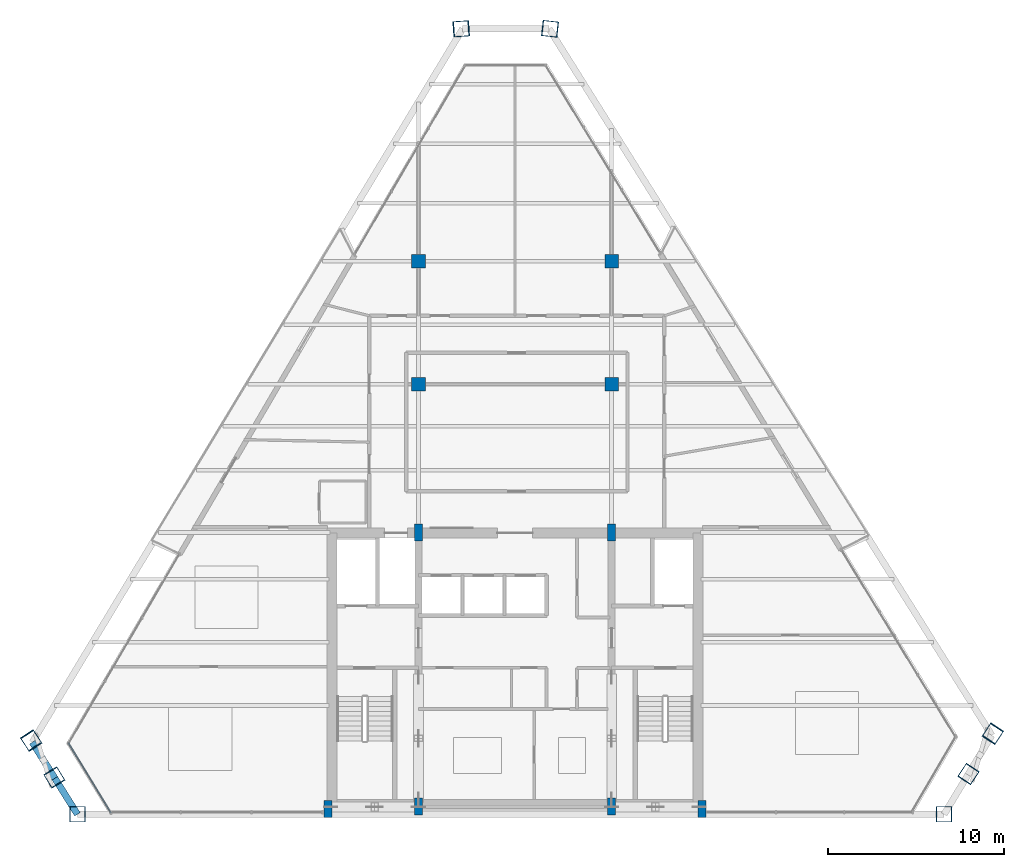
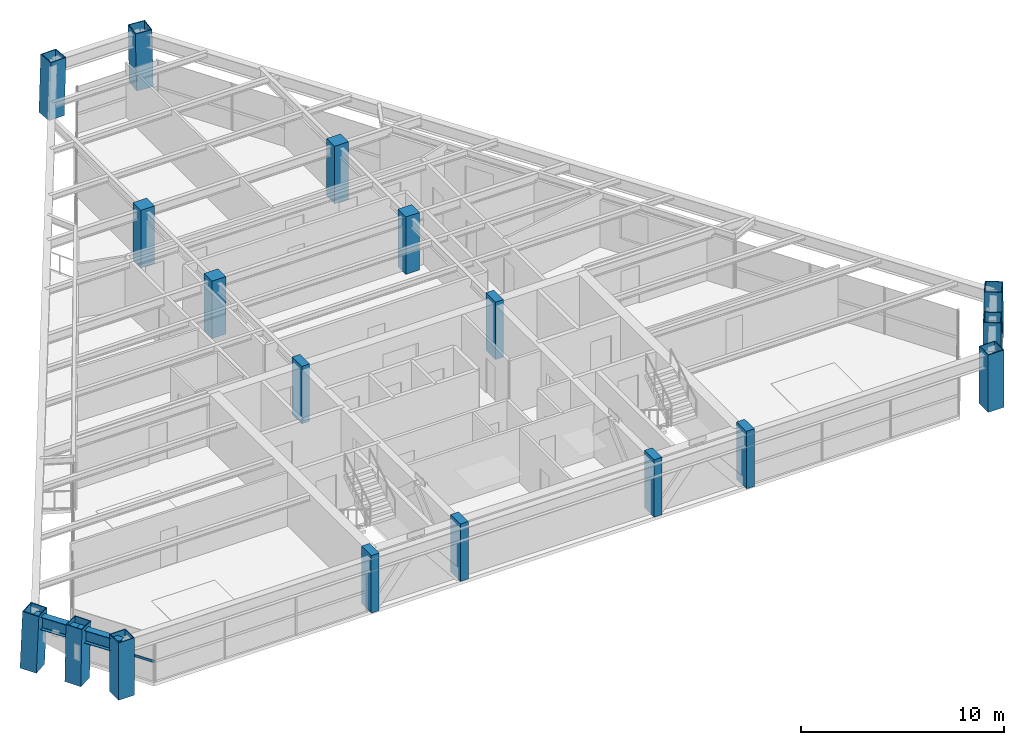
# One storey, part 1 of 13: 18 columns, 2 beams, 1 member, 1 element without a shape of its own.
"""IFC4 building model written with IfcOpenShell, lengths in metres."""

from ifc_helpers import new_model, si_unit, direction, frame, origin, origin_2d, place, context, subcontext, project, spatial, rectangle, hollow_rectangle, i_section, extrude, source, transform, mapped, material, material_profile, profile_set, type_object, element, aggregate, save


model = new_model("IFC4")

# Units and contexts
model_context = context("Model", 3, precision=1e-05, world=origin(), true_north=direction((0.0, 1.0)))
body_context = subcontext(model_context, "Body", "Model", "MODEL_VIEW")
ifc_project = project(units=[si_unit("LENGTHUNIT", "METRE"), si_unit("AREAUNIT", "SQUARE_METRE"), si_unit("VOLUMEUNIT", "CUBIC_METRE"), si_unit("PLANEANGLEUNIT", "RADIAN"), si_unit("MASSUNIT", "GRAM", prefix="KILO")], contexts=[model_context])

# Site, building, storey
site_placement = place(None, origin())
site = spatial("IfcSite", under=ifc_project, at=site_placement, CompositionType="ELEMENT")
building_placement = place(site_placement, origin())
building = spatial("IfcBuilding", under=site, at=building_placement, Name="Varnakhor Terracotta Tower", CompositionType="ELEMENT")
storey_placement = place(building_placement, frame((0.0, 0.0, 251.050048828125)))
storey = spatial("IfcBuildingStorey", under=building, at=storey_placement, Name="L65", CompositionType="ELEMENT", Elevation=251.050048828125)

# Columns
ifc_material_1 = material(Name="Concrete C50/60", Category="concrete")
ifc_material_profile_1 = material_profile(ifc_material_1, rectangle(XDim=0.449951171875, YDim=0.949951171875, at=origin_2d()), Name="RC PILASTER 950x450")
ifc_profile_set_1 = profile_set([ifc_material_profile_1], Name="Concrete C50/60")
column_type_1 = type_object("IfcColumnType", Name="COL-PIL-950x450", PredefinedType="PILASTER", material=ifc_profile_set_1)
shared_shape_1 = source(origin(), body_context, "Body", "SweptSolid", [
    extrude(rectangle(XDim=0.449951171875, YDim=0.949951171875, at=origin_2d()), origin(), (0.0, 0.0, 1.0), 3.449951171875),
])
for number, where, z_axis, x_axis, name in (
    (1, (-10.64990234375, 0.300048828125, 0.0), (0.0, 0.0, 1.0), (1.0, 0.0, 0.0), "L65 Core Pilaster CP1"),
    (2, (-5.5, 0.449951171875, 0.0), (0.0, 0.0, 1.0), (1.0, 0.0, 0.0), "L65 Core Pilaster CP2"),
    (3, (5.5, 0.449951171875, 0.0), (0.0, 0.0, 1.0), (1.0, 0.0, 0.0), "L65 Core Pilaster CP3"),
    (4, (10.64990234375, 0.300048828125, 0.0), (0.0, 0.0, 1.0), (1.0, 0.0, 0.0), "L65 Core Pilaster CP4"),
    (5, (-5.5, 16.050048828125, 0.0), (0.0, 0.0, 1.0), (1.0, 0.0, 0.0), "L65 Core Pilaster CP5"),
    (6, (5.5, 16.050048828125, 0.0), (0.0, 0.0, 1.0), (1.0, 0.0, 0.0), "L65 Core Pilaster CP6"),
):
    element("IfcColumn", number, at=place(storey_placement, frame(where, z_axis=z_axis, x_axis=x_axis)), inside=storey, type_object=column_type_1, Name=name, PredefinedType="PILASTER", context=body_context, shape_type="MappedRepresentation", body=[
        mapped(shared_shape_1, transform((0.0, 0.0, 0.0), scale=1.0)),
    ])
ifc_material_2 = material(Name="Steel S460", Category="steel")
ifc_material_profile_2 = material_profile(ifc_material_2, hollow_rectangle(XDim=0.89990234375, YDim=0.89990234375, WallThickness=0.044921875, at=origin_2d()), Name="BOX 900x900x45")
ifc_profile_set_2 = profile_set([ifc_material_profile_2], Name="Steel S460")
column_type_2 = type_object("IfcColumnType", Name="COL-MEGA-900", PredefinedType="COLUMN", material=ifc_profile_set_2)
shared_shape_2 = source(origin(), body_context, "Body", "SweptSolid", [
    extrude(hollow_rectangle(XDim=0.89990234375, YDim=0.89990234375, WallThickness=0.044921875, at=origin_2d()), origin(), (0.0, 0.0, 1.0), 3.441162109375),
])
for number, where, z_axis, x_axis, name in (
    (7, (-24.921630859375, 0.0, 0.00439453125), (-0.001631782148, 0.0, 0.999998668643), (0.0, -1.0, 0.0), "L65 Perimeter Mega-Column M1"),
    (8, (24.441162109375, 0.0, 0.00439453125), (-7.0947144e-05, 0.0, 0.999999997483), (1.0, 0.0, 0.0), "L65 Perimeter Mega-Column M2"),
):
    element("IfcColumn", number, at=place(storey_placement, frame(where, z_axis=z_axis, x_axis=x_axis)), inside=storey, type_object=column_type_2, Name=name, PredefinedType="COLUMN", context=body_context, shape_type="MappedRepresentation", body=[
        mapped(shared_shape_2, transform((0.0, 0.0, 0.0), scale=1.0)),
    ])
shared_shape_3 = source(origin(), body_context, "Body", "SweptSolid", [
    extrude(hollow_rectangle(XDim=0.89990234375, YDim=0.89990234375, WallThickness=0.044921875, at=origin_2d()), origin(), (0.0, 0.0, 1.0), 3.44189453125),
])
for number, where, z_axis, x_axis, name in (
    (9, (25.83544921875, 2.306884765625, 0.00439453125), (-0.010640077281, -0.016172917467, 0.999812595188), (0.835417082244, -0.549616501476, 0.0), "L65 Perimeter Mega-Column M3"),
    (10, (2.00439453125, 44.7451171875, 0.00439453125), (-0.018797631505, 0.002057099297, 0.99982119271), (-0.108784510561, -0.994065355126, 0.0), "L65 Perimeter Mega-Column M5"),
    (11, (-26.249267578125, 2.112060546875, 0.00439453125), (0.010285300887, -0.017023946296, 0.999802179353), (0.855915541946, 0.517115639926, 0.0), "L65 Perimeter Mega-Column M8"),
):
    element("IfcColumn", number, at=place(storey_placement, frame(where, z_axis=z_axis, x_axis=x_axis)), inside=storey, type_object=column_type_2, Name=name, PredefinedType="COLUMN", context=body_context, shape_type="MappedRepresentation", body=[
        mapped(shared_shape_3, transform((0.0, 0.0, 0.0), scale=1.0)),
    ])
shared_shape_4 = source(origin(), body_context, "Body", "SweptSolid", [
    extrude(hollow_rectangle(XDim=0.89990234375, YDim=0.89990234375, WallThickness=0.044921875, at=origin_2d()), origin(), (0.0, 0.0, 1.0), 3.44287109375),
])
column_1_placement = place(storey_placement, frame((-3.0859375, 44.7451171875, 0.00439453125), z_axis=(0.030422172746, 0.002056510512, 0.999535022983), x_axis=(-0.067445143435, 0.997722983912, 0.0)))
element("IfcColumn", 12, at=column_1_placement, inside=storey, type_object=column_type_2, Name="L65 Perimeter Mega-Column M6", PredefinedType="COLUMN", context=body_context, shape_type="MappedRepresentation", body=[
    mapped(shared_shape_4, transform((0.0, 0.0, 0.0), scale=1.0)),
])
shared_shape_5 = source(origin(), body_context, "Body", "SweptSolid", [
    extrude(hollow_rectangle(XDim=0.89990234375, YDim=0.89990234375, WallThickness=0.044921875, at=origin_2d()), origin(), (0.0, 0.0, 1.0), 3.444091796875),
])
column_2_placement = place(storey_placement, frame((-27.576904296875, 4.22412109375, 0.00439453125), z_axis=(0.022188180464, -0.033955713872, 0.999177008414), x_axis=(0.83712351879, 0.547013906851, 0.0)))
element("IfcColumn", 13, at=column_2_placement, inside=storey, type_object=column_type_2, Name="L65 Perimeter Mega-Column M7", PredefinedType="COLUMN", context=body_context, shape_type="MappedRepresentation", body=[
    mapped(shared_shape_5, transform((0.0, 0.0, 0.0), scale=1.0)),
])
ifc_material_profile_3 = material_profile(ifc_material_1, rectangle(XDim=0.780029296875, YDim=0.780029296875, at=origin_2d()), Name="RC 780x780")
ifc_profile_set_3 = profile_set([ifc_material_profile_3], Name="Concrete C50/60")
column_type_3 = type_object("IfcColumnType", Name="COL-RC-780", PredefinedType="COLUMN", material=ifc_profile_set_3)
shared_shape_6 = source(origin(), body_context, "Body", "SweptSolid", [
    extrude(rectangle(XDim=0.780029296875, YDim=0.780029296875, at=origin_2d()), origin(), (0.0, 0.0, 1.0), 3.449951171875),
])
for number, where, z_axis, x_axis, name in (
    (14, (-5.5, 24.5, 0.0), (0.0, 0.0, 1.0), (1.0, 0.0, 0.0), "L65 Interior Tower Column IC1"),
    (15, (5.5, 24.5, 0.0), (0.0, 0.0, 1.0), (1.0, 0.0, 0.0), "L65 Interior Tower Column IC2"),
    (16, (-5.5, 31.5, 0.0), (0.0, 0.0, 1.0), (1.0, 0.0, 0.0), "L65 Interior Tower Column IC3"),
    (17, (5.5, 31.5, 0.0), (0.0, 0.0, 1.0), (1.0, 0.0, 0.0), "L65 Interior Tower Column IC4"),
):
    element("IfcColumn", number, at=place(storey_placement, frame(where, z_axis=z_axis, x_axis=x_axis)), inside=storey, type_object=column_type_3, Name=name, PredefinedType="COLUMN", context=body_context, shape_type="MappedRepresentation", body=[
        mapped(shared_shape_6, transform((0.0, 0.0, 0.0), scale=1.0)),
    ])
shared_shape_7 = source(origin(), body_context, "Body", "SweptSolid", [
    extrude(hollow_rectangle(XDim=0.89990234375, YDim=0.89990234375, WallThickness=0.044921875, at=origin_2d()), origin(), (0.0, 0.0, 1.0), 3.443603515625),
])
column_3_placement = place(storey_placement, frame((27.229736328125, 4.61376953125, 0.00439453125), z_axis=(-0.021126525602, -0.032256943452, 0.999256303215), x_axis=(0.836548305649, -0.547893176008, 0.0)))
element("IfcColumn", 18, at=column_3_placement, inside=storey, type_object=column_type_2, Name="L65 Perimeter Mega-Column M4", PredefinedType="COLUMN", context=body_context, shape_type="MappedRepresentation", body=[
    mapped(shared_shape_7, transform((0.0, 0.0, 0.0), scale=1.0)),
])

# Beams
ifc_material_3 = material(Name="Steel S355", Category="steel")
ifc_material_profile_4 = material_profile(ifc_material_3, i_section(OverallWidth=0.381103515625, OverallDepth=0.77294921875, WebThickness=0.01708984375, FlangeThickness=0.027099609375, FilletRadius=0.01806640625, at=origin_2d()), Name="W30X173")
ifc_profile_set_4 = profile_set([ifc_material_profile_4], Name="Steel S355")
beam_type = type_object("IfcBeamType", Name="BM-W30X173", PredefinedType="BEAM", material=ifc_profile_set_4)
shared_shape_8 = source(origin(), body_context, "Body", "SweptSolid", [
    extrude(i_section(OverallWidth=0.381103515625, OverallDepth=0.77294921875, WebThickness=0.01708984375, FlangeThickness=0.027099609375, FilletRadius=0.01806640625, at=origin_2d()), origin(), (0.0, 0.0, 1.0), 2.42333984375),
])
for number, where, z_axis, x_axis, name in (
    (19, (-27.50048828125, 4.107177734375, 2.853515625), (0.530904173372, -0.847431860798, 0.0), (0.847431860798, 0.530904173372, 0.0), "L65 Perimeter Spandrel 7"),
    (20, (-26.2138671875, 2.053466796875, 2.853515625), (0.530949500297, -0.847403462428, 0.0), (0.847403462428, 0.530949500297, 0.0), "L65 Perimeter Spandrel 8"),
):
    element("IfcBeam", number, at=place(storey_placement, frame(where, z_axis=z_axis, x_axis=x_axis)), inside=storey, type_object=beam_type, Name=name, PredefinedType="BEAM", context=body_context, shape_type="MappedRepresentation", body=[
        mapped(shared_shape_8, transform((0.0, 0.0, 0.0), scale=1.0)),
    ])

# Curtain wall, member
ifc_material_4 = material(Name="Anodised Aluminium Curtain Wall System", Category="aluminium")
curtain_wall_type = type_object("IfcCurtainWallType", Name="CW-SYS-HOTEL-LOGGIA", PredefinedType="NOTDEFINED", material=ifc_material_4)
curtain_wall_placement = place(storey_placement, origin())
curtain_wall = element("IfcCurtainWall", 21, at=curtain_wall_placement, inside=storey, type_object=curtain_wall_type, Name="L65 Facet Curtain Wall 6", PredefinedType="NOTDEFINED")
ifc_material_5 = material(Name="Anodised Aluminium 6063-T6", Category="aluminium")
ifc_material_profile_5 = material_profile(ifc_material_5, rectangle(XDim=0.06494140625, YDim=0.14501953125, at=origin_2d()), Name="ALU TRANSOM 65x145")
ifc_profile_set_5 = profile_set([ifc_material_profile_5], Name="Anodised Aluminium 6063-T6")
member_type = type_object("IfcMemberType", Name="CWT-04", PredefinedType="USERDEFINED", material=ifc_profile_set_5)
shared_shape_9 = source(origin(), body_context, "Body", "SweptSolid", [
    extrude(rectangle(XDim=0.06494140625, YDim=0.14501953125, at=origin_2d()), origin(), (0.0, 0.0, 1.0), 4.671142578125),
])
member_placement = place(storey_placement, frame((-23.01513671875, 0.088134765625, 1.184326171875), z_axis=(-0.520991164565, 0.853562069474, 0.0), x_axis=(-0.853562069474, -0.520991164565, 0.0)))
member = element("IfcMember", 22, at=member_placement, type_object=member_type, Name="L65 Facet Curtain Wall 6 Transom 1", ObjectType="TRANSOM", PredefinedType="USERDEFINED", context=body_context, shape_type="MappedRepresentation", body=[
    mapped(shared_shape_9, transform((0.0, 0.0, 0.0), scale=1.0)),
])
aggregate(curtain_wall, [member])

save(model, "model.ifc")
